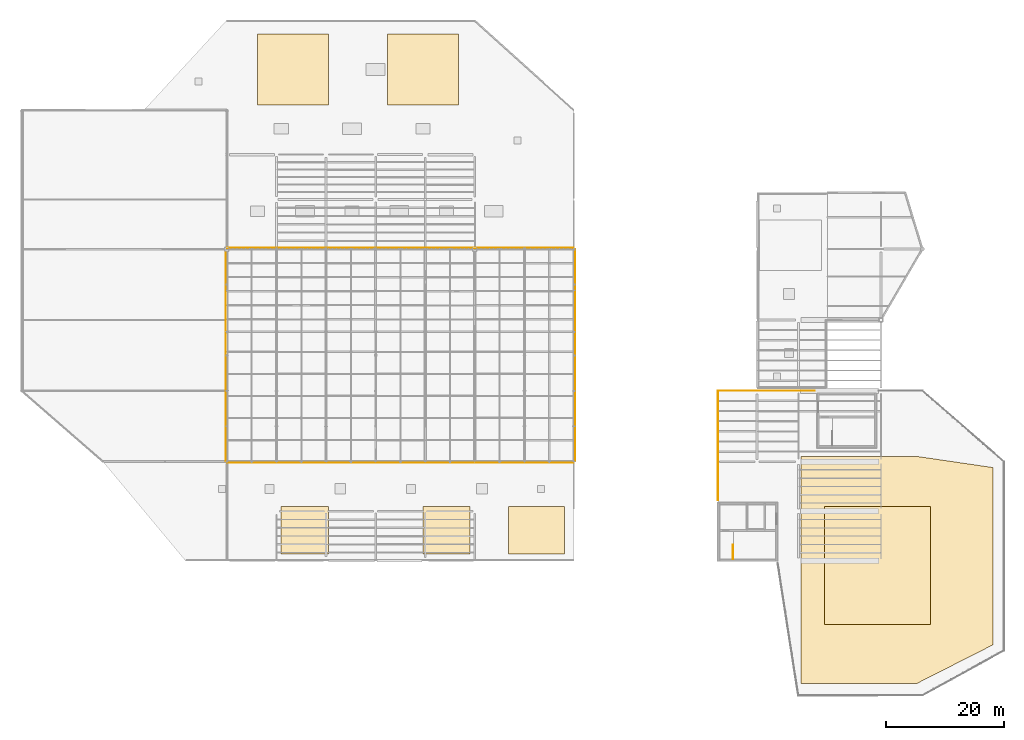
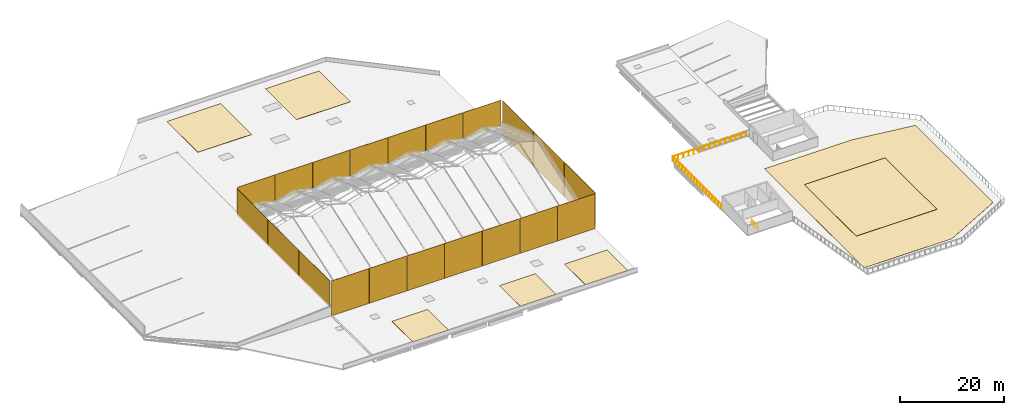
# One storey, part 76 of 77: 27 coverings, 2 railings.
"""IFC4 building model written with IfcOpenShell, lengths in metres."""

from ifc_helpers import new_model, si_unit, direction, frame, origin, origin_2d, place, context, subcontext, project, spatial, polyline, rectangle, circle, outline, extrude, material, layer, layer_set, type_object, element, save


model = new_model("IFC4")

# Units and contexts
model_context = context("Model", 3, precision=1e-05, world=origin(), true_north=direction((0.0, 1.0)))
body_context = subcontext(model_context, "Body", "Model", "MODEL_VIEW")
ifc_project = project(units=[si_unit("LENGTHUNIT", "METRE"), si_unit("AREAUNIT", "SQUARE_METRE"), si_unit("VOLUMEUNIT", "CUBIC_METRE"), si_unit("PLANEANGLEUNIT", "RADIAN"), si_unit("MASSUNIT", "GRAM", prefix="KILO")], contexts=[model_context])

# Site, building, storey
site_placement = place(None, origin())
site = spatial("IfcSite", under=ifc_project, at=site_placement, CompositionType="ELEMENT")
building_placement = place(site_placement, origin())
building = spatial("IfcBuilding", under=site, at=building_placement, Name="Larkvane Passage Sports Hall", CompositionType="ELEMENT")
storey_placement = place(building_placement, frame((0.0, 0.0, 22.199951171875)))
storey = spatial("IfcBuildingStorey", under=building, at=storey_placement, Name="RF", CompositionType="ELEMENT", Elevation=22.199951171875)

# Coverings
ifc_material_1 = material(Name="EPDM polyurethane athletic track")
ifc_layer_1 = layer(ifc_material_1, 0.02490234375)
ifc_layer_set_1 = layer_set([ifc_layer_1], Name="EPDM polyurethane athletic track")
covering_type_1 = type_object("IfcCoveringType", Name="COV-FLR-TRACK", PredefinedType="FLOORING", material=ifc_layer_set_1)
covering_1_placement = place(storey_placement, origin())
element("IfcCovering", 1, at=covering_1_placement, inside=storey, type_object=covering_type_1, Name="EPDM four-lane oval rooftop running track", PredefinedType="FLOORING", context=body_context, shape_type="SweptSolid", body=[
    extrude(outline(polyline([(132.0, 2.0), (151.60009765625, 2.0), (164.60009765625, 8.60009765625), (164.60009765625, 38.60009765625), (151.60009765625, 40.5), (132.0, 40.5), (132.0, 2.0)])), origin(), (0.0, 0.0, 1.0), 0.025146484375),
])
covering_2_placement = place(storey_placement, frame((0.0, 0.0, 0.025146484375)))
element("IfcCovering", 2, at=covering_2_placement, inside=storey, type_object=covering_type_1, Name="Rooftop track infield outdoor basketball court", PredefinedType="FLOORING", context=body_context, shape_type="SweptSolid", body=[
    extrude(outline(polyline([(136.0, 12.0), (154.0, 12.0), (154.0, 32.0), (136.0, 32.0), (136.0, 12.0)])), origin(), (0.0, 0.0, 1.0), 0.02490234375),
])
ifc_material_2 = material(Name="Perforated anodised aluminium 5052-H32", Category="aluminium")
ifc_layer_2 = layer(ifc_material_2, 0.050048828125)
ifc_layer_set_2 = layer_set([ifc_layer_2], Name="Perforated anodised aluminium 5052-H32")
covering_type_2 = type_object("IfcCoveringType", Name="COV-MESH-VEIL", PredefinedType="CLADDING", material=ifc_layer_set_2)
covering_3_placement = place(storey_placement, frame((39.0, 39.419921875, 0.05029296875), z_axis=(0.0, 0.0, 1.0), x_axis=(1.0, 0.0, 0.0)))
element("IfcCovering", 3, at=covering_3_placement, inside=storey, type_object=covering_type_2, Name="Arena crown south perforated solar screen 1", PredefinedType="CLADDING", context=body_context, shape_type="SweptSolid", body=[
    extrude(rectangle(XDim=8.320068359375, YDim=0.050048828125, at=origin_2d()), origin(), (0.0, 0.0, 1.0), 8.219970703125),
])
covering_4_placement = place(storey_placement, frame((39.0, 75.780029296875, 2.219970703125), z_axis=(0.0, 0.0, 1.0), x_axis=(1.0, 0.0, 0.0)))
element("IfcCovering", 4, at=covering_4_placement, inside=storey, type_object=covering_type_2, Name="Arena crown north perforated solar screen 1", PredefinedType="CLADDING", context=body_context, shape_type="SweptSolid", body=[
    extrude(rectangle(XDim=8.320068359375, YDim=0.050048828125, at=origin_2d()), origin(), (0.0, 0.0, 1.0), 6.06005859375),
])
covering_5_placement = place(storey_placement, frame((47.39990234375, 39.419921875, 0.05029296875), z_axis=(0.0, 0.0, 1.0), x_axis=(1.0, 0.0, 0.0)))
element("IfcCovering", 5, at=covering_5_placement, inside=storey, type_object=covering_type_2, Name="Arena crown south perforated solar screen 2", PredefinedType="CLADDING", context=body_context, shape_type="SweptSolid", body=[
    extrude(rectangle(XDim=8.320068359375, YDim=0.050048828125, at=origin_2d()), origin(), (0.0, 0.0, 1.0), 8.219970703125),
])
covering_6_placement = place(storey_placement, frame((47.39990234375, 75.780029296875, 2.219970703125), z_axis=(0.0, 0.0, 1.0), x_axis=(1.0, 0.0, 0.0)))
element("IfcCovering", 6, at=covering_6_placement, inside=storey, type_object=covering_type_2, Name="Arena crown north perforated solar screen 2", PredefinedType="CLADDING", context=body_context, shape_type="SweptSolid", body=[
    extrude(rectangle(XDim=8.320068359375, YDim=0.050048828125, at=origin_2d()), origin(), (0.0, 0.0, 1.0), 6.06005859375),
])
covering_7_placement = place(storey_placement, frame((55.800048828125, 39.419921875, 0.05029296875), z_axis=(0.0, 0.0, 1.0), x_axis=(1.0, 0.0, 0.0)))
element("IfcCovering", 7, at=covering_7_placement, inside=storey, type_object=covering_type_2, Name="Arena crown south perforated solar screen 3", PredefinedType="CLADDING", context=body_context, shape_type="SweptSolid", body=[
    extrude(rectangle(XDim=8.320068359375, YDim=0.050048828125, at=origin_2d()), origin(), (0.0, 0.0, 1.0), 8.219970703125),
])
covering_8_placement = place(storey_placement, frame((55.800048828125, 75.780029296875, 2.219970703125), z_axis=(0.0, 0.0, 1.0), x_axis=(1.0, 0.0, 0.0)))
element("IfcCovering", 8, at=covering_8_placement, inside=storey, type_object=covering_type_2, Name="Arena crown north perforated solar screen 3", PredefinedType="CLADDING", context=body_context, shape_type="SweptSolid", body=[
    extrude(rectangle(XDim=8.320068359375, YDim=0.050048828125, at=origin_2d()), origin(), (0.0, 0.0, 1.0), 6.06005859375),
])
covering_9_placement = place(storey_placement, frame((64.199951171875, 39.419921875, 0.05029296875), z_axis=(0.0, 0.0, 1.0), x_axis=(1.0, 0.0, 0.0)))
element("IfcCovering", 9, at=covering_9_placement, inside=storey, type_object=covering_type_2, Name="Arena crown south perforated solar screen 4", PredefinedType="CLADDING", context=body_context, shape_type="SweptSolid", body=[
    extrude(rectangle(XDim=8.320068359375, YDim=0.050048828125, at=origin_2d()), origin(), (0.0, 0.0, 1.0), 8.219970703125),
])
covering_10_placement = place(storey_placement, frame((64.199951171875, 75.780029296875, 2.219970703125), z_axis=(0.0, 0.0, 1.0), x_axis=(1.0, 0.0, 0.0)))
element("IfcCovering", 10, at=covering_10_placement, inside=storey, type_object=covering_type_2, Name="Arena crown north perforated solar screen 4", PredefinedType="CLADDING", context=body_context, shape_type="SweptSolid", body=[
    extrude(rectangle(XDim=8.320068359375, YDim=0.050048828125, at=origin_2d()), origin(), (0.0, 0.0, 1.0), 6.06005859375),
])
covering_11_placement = place(storey_placement, frame((72.60009765625, 39.419921875, 0.05029296875), z_axis=(0.0, 0.0, 1.0), x_axis=(1.0, 0.0, 0.0)))
element("IfcCovering", 11, at=covering_11_placement, inside=storey, type_object=covering_type_2, Name="Arena crown south perforated solar screen 5", PredefinedType="CLADDING", context=body_context, shape_type="SweptSolid", body=[
    extrude(rectangle(XDim=8.320068359375, YDim=0.050048828125, at=origin_2d()), origin(), (0.0, 0.0, 1.0), 8.219970703125),
])
covering_12_placement = place(storey_placement, frame((72.60009765625, 75.780029296875, 2.219970703125), z_axis=(0.0, 0.0, 1.0), x_axis=(1.0, 0.0, 0.0)))
element("IfcCovering", 12, at=covering_12_placement, inside=storey, type_object=covering_type_2, Name="Arena crown north perforated solar screen 5", PredefinedType="CLADDING", context=body_context, shape_type="SweptSolid", body=[
    extrude(rectangle(XDim=8.320068359375, YDim=0.050048828125, at=origin_2d()), origin(), (0.0, 0.0, 1.0), 6.06005859375),
])
covering_13_placement = place(storey_placement, frame((81.0, 39.419921875, 0.05029296875), z_axis=(0.0, 0.0, 1.0), x_axis=(1.0, 0.0, 0.0)))
element("IfcCovering", 13, at=covering_13_placement, inside=storey, type_object=covering_type_2, Name="Arena crown south perforated solar screen 6", PredefinedType="CLADDING", context=body_context, shape_type="SweptSolid", body=[
    extrude(rectangle(XDim=8.320068359375, YDim=0.050048828125, at=origin_2d()), origin(), (0.0, 0.0, 1.0), 8.219970703125),
])
covering_14_placement = place(storey_placement, frame((81.0, 75.780029296875, 2.219970703125), z_axis=(0.0, 0.0, 1.0), x_axis=(1.0, 0.0, 0.0)))
element("IfcCovering", 14, at=covering_14_placement, inside=storey, type_object=covering_type_2, Name="Arena crown north perforated solar screen 6", PredefinedType="CLADDING", context=body_context, shape_type="SweptSolid", body=[
    extrude(rectangle(XDim=8.320068359375, YDim=0.050048828125, at=origin_2d()), origin(), (0.0, 0.0, 1.0), 6.06005859375),
])
covering_15_placement = place(storey_placement, frame((89.39990234375, 39.419921875, 0.05029296875), z_axis=(0.0, 0.0, 1.0), x_axis=(1.0, 0.0, 0.0)))
element("IfcCovering", 15, at=covering_15_placement, inside=storey, type_object=covering_type_2, Name="Arena crown south perforated solar screen 7", PredefinedType="CLADDING", context=body_context, shape_type="SweptSolid", body=[
    extrude(rectangle(XDim=8.320068359375, YDim=0.050048828125, at=origin_2d()), origin(), (0.0, 0.0, 1.0), 8.219970703125),
])
covering_16_placement = place(storey_placement, frame((89.39990234375, 75.780029296875, 2.219970703125), z_axis=(0.0, 0.0, 1.0), x_axis=(1.0, 0.0, 0.0)))
element("IfcCovering", 16, at=covering_16_placement, inside=storey, type_object=covering_type_2, Name="Arena crown north perforated solar screen 7", PredefinedType="CLADDING", context=body_context, shape_type="SweptSolid", body=[
    extrude(rectangle(XDim=8.320068359375, YDim=0.050048828125, at=origin_2d()), origin(), (0.0, 0.0, 1.0), 6.06005859375),
])
covering_17_placement = place(storey_placement, frame((34.60009765625, 45.60009765625, 2.0), z_axis=(0.0, 0.0, 1.0), x_axis=(0.0, 1.0, 0.0)))
element("IfcCovering", 17, at=covering_17_placement, inside=storey, type_object=covering_type_2, Name="Arena crown west perforated solar screen 1", PredefinedType="CLADDING", context=body_context, shape_type="SweptSolid", body=[
    extrude(rectangle(XDim=11.919921875, YDim=0.050048828125, at=origin_2d()), origin(), (0.0, 0.0, 1.0), 6.199951171875),
])
covering_18_placement = place(storey_placement, frame((93.800048828125, 45.60009765625, 0.05029296875), z_axis=(0.0, 0.0, 1.0), x_axis=(0.0, 1.0, 0.0)))
element("IfcCovering", 18, at=covering_18_placement, inside=storey, type_object=covering_type_2, Name="Arena crown east perforated solar screen 1", PredefinedType="CLADDING", context=body_context, shape_type="SweptSolid", body=[
    extrude(rectangle(XDim=11.919921875, YDim=0.050048828125, at=origin_2d()), origin(), (0.0, 0.0, 1.0), 8.199951171875),
])
covering_19_placement = place(storey_placement, frame((34.60009765625, 57.60009765625, 2.0), z_axis=(0.0, 0.0, 1.0), x_axis=(0.0, 1.0, 0.0)))
element("IfcCovering", 19, at=covering_19_placement, inside=storey, type_object=covering_type_2, Name="Arena crown west perforated solar screen 2", PredefinedType="CLADDING", context=body_context, shape_type="SweptSolid", body=[
    extrude(rectangle(XDim=11.919921875, YDim=0.050048828125, at=origin_2d()), origin(), (0.0, 0.0, 1.0), 6.199951171875),
])
covering_20_placement = place(storey_placement, frame((93.800048828125, 57.60009765625, 0.05029296875), z_axis=(0.0, 0.0, 1.0), x_axis=(0.0, 1.0, 0.0)))
element("IfcCovering", 20, at=covering_20_placement, inside=storey, type_object=covering_type_2, Name="Arena crown east perforated solar screen 2", PredefinedType="CLADDING", context=body_context, shape_type="SweptSolid", body=[
    extrude(rectangle(XDim=11.919921875, YDim=0.050048828125, at=origin_2d()), origin(), (0.0, 0.0, 1.0), 8.199951171875),
])
covering_21_placement = place(storey_placement, frame((34.60009765625, 69.60009765625, 2.0), z_axis=(0.0, 0.0, 1.0), x_axis=(0.0, 1.0, 0.0)))
element("IfcCovering", 21, at=covering_21_placement, inside=storey, type_object=covering_type_2, Name="Arena crown west perforated solar screen 3", PredefinedType="CLADDING", context=body_context, shape_type="SweptSolid", body=[
    extrude(rectangle(XDim=11.919921875, YDim=0.050048828125, at=origin_2d()), origin(), (0.0, 0.0, 1.0), 6.199951171875),
])
covering_22_placement = place(storey_placement, frame((93.800048828125, 69.60009765625, 0.05029296875), z_axis=(0.0, 0.0, 1.0), x_axis=(0.0, 1.0, 0.0)))
element("IfcCovering", 22, at=covering_22_placement, inside=storey, type_object=covering_type_2, Name="Arena crown east perforated solar screen 3", PredefinedType="CLADDING", context=body_context, shape_type="SweptSolid", body=[
    extrude(rectangle(XDim=11.919921875, YDim=0.050048828125, at=origin_2d()), origin(), (0.0, 0.0, 1.0), 8.199951171875),
])
ifc_material_3 = material(Name="Insulated TPO single-ply roofing membrane")
ifc_layer_3 = layer(ifc_material_3, 0.050048828125)
ifc_layer_set_3 = layer_set([ifc_layer_3], Name="Insulated TPO single-ply roofing membrane")
covering_type_3 = type_object("IfcCoveringType", Name="COV-ROOF-MEMB", PredefinedType="ROOFING", material=ifc_layer_set_3)
covering_23_placement = place(storey_placement, origin())
element("IfcCovering", 23, at=covering_23_placement, inside=storey, type_object=covering_type_3, Name="Roof waterproofing membrane COV-ROOF-M1", PredefinedType="ROOFING", context=body_context, shape_type="SweptSolid", body=[
    extrude(outline(polyline([(44.0, 24.0), (52.0, 24.0), (52.0, 32.0), (44.0, 32.0), (44.0, 24.0)])), origin(), (0.0, 0.0, 1.0), 0.050048828125),
])
covering_24_placement = place(storey_placement, origin())
element("IfcCovering", 24, at=covering_24_placement, inside=storey, type_object=covering_type_3, Name="Roof waterproofing membrane COV-ROOF-M2", PredefinedType="ROOFING", context=body_context, shape_type="SweptSolid", body=[
    extrude(outline(polyline([(68.0, 24.0), (76.0, 24.0), (76.0, 32.0), (68.0, 32.0), (68.0, 24.0)])), origin(), (0.0, 0.0, 1.0), 0.050048828125),
])
covering_25_placement = place(storey_placement, origin())
element("IfcCovering", 25, at=covering_25_placement, inside=storey, type_object=covering_type_3, Name="Roof waterproofing membrane COV-ROOF-M3", PredefinedType="ROOFING", context=body_context, shape_type="SweptSolid", body=[
    extrude(outline(polyline([(40.0, 100.0), (52.0, 100.0), (52.0, 112.0), (40.0, 112.0), (40.0, 100.0)])), origin(), (0.0, 0.0, 1.0), 0.050048828125),
])
covering_26_placement = place(storey_placement, origin())
element("IfcCovering", 26, at=covering_26_placement, inside=storey, type_object=covering_type_3, Name="Roof waterproofing membrane COV-ROOF-M4", PredefinedType="ROOFING", context=body_context, shape_type="SweptSolid", body=[
    extrude(outline(polyline([(62.0, 100.0), (74.0, 100.0), (74.0, 112.0), (62.0, 112.0), (62.0, 100.0)])), origin(), (0.0, 0.0, 1.0), 0.050048828125),
])
covering_27_placement = place(storey_placement, origin())
element("IfcCovering", 27, at=covering_27_placement, inside=storey, type_object=covering_type_3, Name="Roof waterproofing membrane COV-ROOF-M6", PredefinedType="ROOFING", context=body_context, shape_type="SweptSolid", body=[
    extrude(outline(polyline([(82.5, 24.0), (92.0, 24.0), (92.0, 32.0), (82.5, 32.0), (82.5, 24.0)])), origin(), (0.0, 0.0, 1.0), 0.050048828125),
])

# Railings
ifc_material_4 = material(Name="Steel S355JR", Category="steel")
railing_type = type_object("IfcRailingType", Name="RL-GUARD-1120", PredefinedType="GUARDRAIL", material=ifc_material_4)
railing_1_placement = place(storey_placement, frame((120.530029296875, 23.10009765625, 0.0)))
element("IfcRailing", 28, at=railing_1_placement, inside=storey, type_object=railing_type, Name="RF ST-05 top well guard 1", PredefinedType="GUARDRAIL", context=body_context, shape_type="SweptSolid", body=[
    extrude(circle(Radius=0.02392578125, at=origin_2d()), frame((0.0, 0.001953125, 1.09619140625), z_axis=(0.0, 1.0, 0.0), x_axis=(-1.0, 0.0, 0.0)), (0.0, 0.0, 1.0), 2.446044921875),
    extrude(circle(Radius=0.02099609375, at=origin_2d()), origin(), (0.0, 0.0, 1.0), 1.072021484375),
    extrude(circle(Radius=0.02099609375, at=origin_2d()), frame((0.0, 0.816650390625, 0.0)), (0.0, 0.0, 1.0), 1.072021484375),
    extrude(circle(Radius=0.02099609375, at=origin_2d()), frame((0.0, 1.63330078125, 0.0)), (0.0, 0.0, 1.0), 1.072021484375),
    extrude(circle(Radius=0.02099609375, at=origin_2d()), frame((0.0, 2.449951171875, 0.0)), (0.0, 0.0, 1.0), 1.072021484375),
])
railing_2_placement = place(storey_placement, frame((134.330078125, 51.60009765625, 0.0)))
element("IfcRailing", 29, at=railing_2_placement, inside=storey, type_object=railing_type, Name="Terrace perimeter guardrail RF-017", PredefinedType="GUARDRAIL", context=body_context, shape_type="SweptSolid", body=[
    extrude(circle(Radius=0.02392578125, at=origin_2d()), frame((-0.001953125, 0.0, 1.09619140625), z_axis=(-1.0, 0.0, 0.0), x_axis=(0.0, -1.0, 0.0)), (0.0, 0.0, 1.0), 16.326171875),
    extrude(circle(Radius=0.02392578125, at=origin_2d()), frame((-16.330078125, -0.001953125, 1.09619140625), z_axis=(0.0, -1.0, 0.0), x_axis=(1.0, 0.0, 0.0)), (0.0, 0.0, 1.0), 18.526123046875),
    extrude(circle(Radius=0.02099609375, at=origin_2d()), origin(), (0.0, 0.0, 1.0), 1.072021484375),
    extrude(circle(Radius=0.02099609375, at=origin_2d()), frame((-1.16650390625, 0.0, 0.0)), (0.0, 0.0, 1.0), 1.072021484375),
    extrude(circle(Radius=0.02099609375, at=origin_2d()), frame((-2.332763671875, 0.0, 0.0)), (0.0, 0.0, 1.0), 1.072021484375),
    extrude(circle(Radius=0.02099609375, at=origin_2d()), frame((-3.499267578125, 0.0, 0.0)), (0.0, 0.0, 1.0), 1.072021484375),
    extrude(circle(Radius=0.02099609375, at=origin_2d()), frame((-4.665771484375, 0.0, 0.0)), (0.0, 0.0, 1.0), 1.072021484375),
    extrude(circle(Radius=0.02099609375, at=origin_2d()), frame((-5.832275390625, 0.0, 0.0)), (0.0, 0.0, 1.0), 1.072021484375),
    extrude(circle(Radius=0.02099609375, at=origin_2d()), frame((-6.99853515625, 0.0, 0.0)), (0.0, 0.0, 1.0), 1.072021484375),
    extrude(circle(Radius=0.02099609375, at=origin_2d()), frame((-8.1650390625, 0.0, 0.0)), (0.0, 0.0, 1.0), 1.072021484375),
    extrude(circle(Radius=0.02099609375, at=origin_2d()), frame((-9.33154296875, 0.0, 0.0)), (0.0, 0.0, 1.0), 1.072021484375),
    extrude(circle(Radius=0.02099609375, at=origin_2d()), frame((-10.497802734375, 0.0, 0.0)), (0.0, 0.0, 1.0), 1.072021484375),
    extrude(circle(Radius=0.02099609375, at=origin_2d()), frame((-11.664306640625, 0.0, 0.0)), (0.0, 0.0, 1.0), 1.072021484375),
    extrude(circle(Radius=0.02099609375, at=origin_2d()), frame((-12.830810546875, 0.0, 0.0)), (0.0, 0.0, 1.0), 1.072021484375),
    extrude(circle(Radius=0.02099609375, at=origin_2d()), frame((-13.997314453125, 0.0, 0.0)), (0.0, 0.0, 1.0), 1.072021484375),
    extrude(circle(Radius=0.02099609375, at=origin_2d()), frame((-15.16357421875, 0.0, 0.0)), (0.0, 0.0, 1.0), 1.072021484375),
    extrude(circle(Radius=0.02099609375, at=origin_2d()), frame((-16.330078125, 0.0, 0.0)), (0.0, 0.0, 1.0), 1.072021484375),
    extrude(circle(Radius=0.02099609375, at=origin_2d()), frame((-16.330078125, -1.158203125, 0.0)), (0.0, 0.0, 1.0), 1.072021484375),
    extrude(circle(Radius=0.02099609375, at=origin_2d()), frame((-16.330078125, -2.316162109375, 0.0)), (0.0, 0.0, 1.0), 1.072021484375),
    extrude(circle(Radius=0.02099609375, at=origin_2d()), frame((-16.330078125, -3.474365234375, 0.0)), (0.0, 0.0, 1.0), 1.072021484375),
    extrude(circle(Radius=0.02099609375, at=origin_2d()), frame((-16.330078125, -4.632568359375, 0.0)), (0.0, 0.0, 1.0), 1.072021484375),
    extrude(circle(Radius=0.02099609375, at=origin_2d()), frame((-16.330078125, -5.79052734375, 0.0)), (0.0, 0.0, 1.0), 1.072021484375),
    extrude(circle(Radius=0.02099609375, at=origin_2d()), frame((-16.330078125, -6.94873046875, 0.0)), (0.0, 0.0, 1.0), 1.072021484375),
    extrude(circle(Radius=0.02099609375, at=origin_2d()), frame((-16.330078125, -8.10693359375, 0.0)), (0.0, 0.0, 1.0), 1.072021484375),
    extrude(circle(Radius=0.02099609375, at=origin_2d()), frame((-16.330078125, -9.26513671875, 0.0)), (0.0, 0.0, 1.0), 1.072021484375),
    extrude(circle(Radius=0.02099609375, at=origin_2d()), frame((-16.330078125, -10.423095703125, 0.0)), (0.0, 0.0, 1.0), 1.072021484375),
    extrude(circle(Radius=0.02099609375, at=origin_2d()), frame((-16.330078125, -11.581298828125, 0.0)), (0.0, 0.0, 1.0), 1.072021484375),
    extrude(circle(Radius=0.02099609375, at=origin_2d()), frame((-16.330078125, -12.739501953125, 0.0)), (0.0, 0.0, 1.0), 1.072021484375),
    extrude(circle(Radius=0.02099609375, at=origin_2d()), frame((-16.330078125, -13.8974609375, 0.0)), (0.0, 0.0, 1.0), 1.072021484375),
    extrude(circle(Radius=0.02099609375, at=origin_2d()), frame((-16.330078125, -15.0556640625, 0.0)), (0.0, 0.0, 1.0), 1.072021484375),
    extrude(circle(Radius=0.02099609375, at=origin_2d()), frame((-16.330078125, -16.2138671875, 0.0)), (0.0, 0.0, 1.0), 1.072021484375),
    extrude(circle(Radius=0.02099609375, at=origin_2d()), frame((-16.330078125, -17.371826171875, 0.0)), (0.0, 0.0, 1.0), 1.072021484375),
    extrude(circle(Radius=0.02099609375, at=origin_2d()), frame((-16.330078125, -18.530029296875, 0.0)), (0.0, 0.0, 1.0), 1.072021484375),
])

save(model, "model.ifc")
